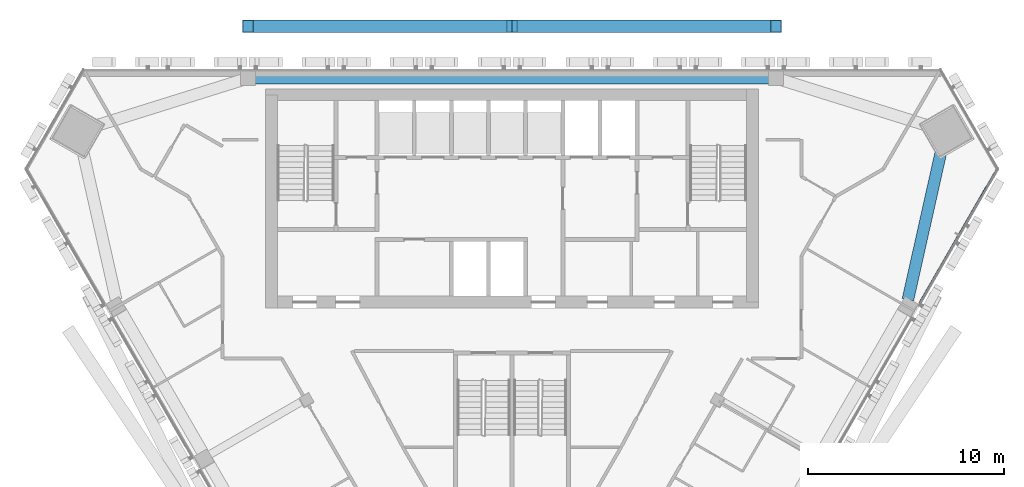
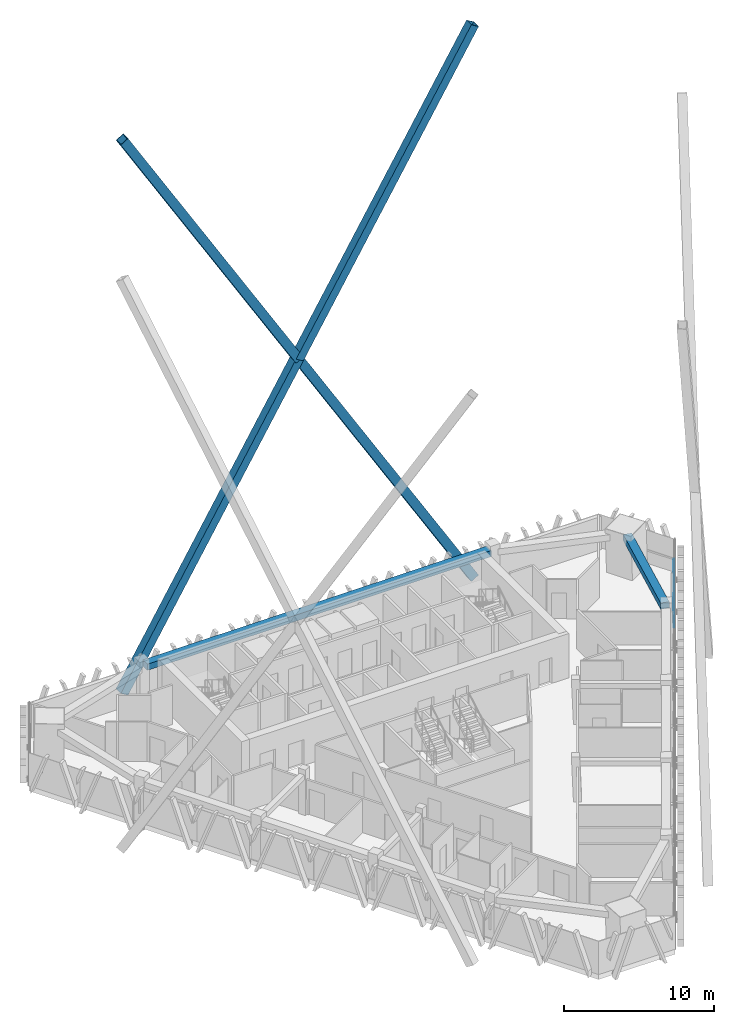
# One storey, part 13 of 22: 5 members, 2 beams, 1 element without a shape of its own.
"""IFC4 building model written with IfcOpenShell, lengths in metres."""

from ifc_helpers import new_model, si_unit, direction, frame, origin, origin_2d, place, context, subcontext, project, spatial, rectangle, hollow_rectangle, extrude, material, layer, layer_set, material_profile, profile_set, type_object, element, aggregate, save


model = new_model("IFC4")

# Units and contexts
model_context = context("Model", 3, precision=1e-05, world=origin(), true_north=direction((0.0, 1.0)))
body_context = subcontext(model_context, "Body", "Model", "MODEL_VIEW")
ifc_project = project(units=[si_unit("LENGTHUNIT", "METRE"), si_unit("AREAUNIT", "SQUARE_METRE"), si_unit("VOLUMEUNIT", "CUBIC_METRE"), si_unit("PLANEANGLEUNIT", "RADIAN"), si_unit("MASSUNIT", "GRAM", prefix="KILO")], contexts=[model_context])

# Site, building, storey
site_placement = place(None, origin())
site = spatial("IfcSite", under=ifc_project, at=site_placement, CompositionType="ELEMENT")
building_placement = place(site_placement, origin())
building = spatial("IfcBuilding", under=site, at=building_placement, Name="Altiplano Prism Tower", CompositionType="ELEMENT")
storey_placement = place(building_placement, frame((0.0, 0.0, 219.39990234375)))
storey = spatial("IfcBuildingStorey", under=building, at=storey_placement, Name="L56", CompositionType="ELEMENT", Elevation=219.39990234375)

# Curtain wall, member
ifc_material_1 = material(Name="Aluminium and glass", Category="aluminium")
ifc_layer = layer(ifc_material_1, 0.280029296875)
ifc_layer_set = layer_set([ifc_layer], Name="Aluminium and glass")
curtain_wall_type = type_object("IfcCurtainWallType", Name="CW1 typical co-living unitised curtain wall", PredefinedType="NOTDEFINED", material=ifc_layer_set)
curtain_wall_placement = place(storey_placement, origin())
curtain_wall = element("IfcCurtainWall", 1, at=curtain_wall_placement, inside=storey, type_object=curtain_wall_type, Name="CW1 curtain wall south-east face L56", PredefinedType="NOTDEFINED")
ifc_material_2 = material(Name="Aluminium", Category="aluminium")
ifc_material_profile_1 = material_profile(ifc_material_2, rectangle(XDim=0.06005859375, YDim=0.080078125, at=origin_2d()), Name="CW1 transom 80 x 60")
ifc_profile_set_1 = profile_set([ifc_material_profile_1], Name="Aluminium")
member_type_1 = type_object("IfcMemberType", Name="CW1 transom 80 x 60", PredefinedType="USERDEFINED", material=ifc_profile_set_1)
member_placement = place(storey_placement, frame((105.828125, 93.0244140625, 1.10009765625), z_axis=(0.500007503945, 0.866021071336, 0.0), x_axis=(-0.866021071336, 0.500007503945, 0.0)))
member = element("IfcMember", 2, at=member_placement, type_object=member_type_1, Name="CW1 transom", ObjectType="TRANSOM", PredefinedType="USERDEFINED", context=body_context, shape_type="SweptSolid", body=[
    extrude(rectangle(XDim=0.06005859375, YDim=0.080078125, at=origin_2d()), origin(), (0.0, 0.0, 1.0), 7.982421875),
])
aggregate(curtain_wall, [member])

# Beams
ifc_material_3 = material(Name="Concrete C60/75", Category="concrete")
ifc_material_profile_2 = material_profile(ifc_material_3, rectangle(XDim=0.60009765625, YDim=0.5, at=origin_2d()), Name="Edge beam 600x500")
ifc_profile_set_2 = profile_set([ifc_material_profile_2], Name="Concrete C60/75")
beam_type = type_object("IfcBeamType", Name="Edge beam 600x500", PredefinedType="SPANDREL", material=ifc_profile_set_2)
beam_1_placement = place(storey_placement, frame((105.25146484375, 93.225830078125, 2.9501953125), z_axis=(0.218625283358, 0.975808887783, 0.0), x_axis=(-0.975808887783, 0.218625283358, 0.0)))
element("IfcBeam", 3, at=beam_1_placement, inside=storey, type_object=beam_type, Name="Edge beam P24-M2 L57", PredefinedType="SPANDREL", context=body_context, shape_type="SweptSolid", body=[
    extrude(rectangle(XDim=0.60009765625, YDim=0.5, at=origin_2d()), origin(), (0.0, 0.0, 1.0), 8.3720703125),
])
beam_2_placement = place(storey_placement, frame((98.2451171875, 104.550048828125, 2.9501953125), z_axis=(-1.0, 0.0, 0.0), x_axis=(0.0, -1.0, 0.0)))
element("IfcBeam", 4, at=beam_2_placement, inside=storey, type_object=beam_type, Name="Edge beam P01-P04 L57", PredefinedType="SPANDREL", context=body_context, shape_type="SweptSolid", body=[
    extrude(rectangle(XDim=0.60009765625, YDim=0.5, at=origin_2d()), origin(), (0.0, 0.0, 1.0), 26.490234375),
])

# Members
ifc_material_4 = material(Name="Steel S355", Category="steel")
ifc_material_profile_3 = material_profile(ifc_material_4, hollow_rectangle(XDim=0.64990234375, YDim=0.64990234375, WallThickness=0.034912109375, at=origin_2d()), Name="Mega brace Box 650x650x35")
ifc_profile_set_3 = profile_set([ifc_material_profile_3], Name="Steel S355")
member_type_2 = type_object("IfcMemberType", Name="Mega brace Box 650x650x35", PredefinedType="BRACE", material=ifc_profile_set_3)
for number, where, z_axis, x_axis, name in (
    (5, (98.5, 107.199951171875, -0.75), (-0.514495755428, 0.0, 0.857492925713), (0.0, -1.0, 0.0), "Mega brace 6.0.1"),
    (6, (85.0, 107.199951171875, 21.75), (-0.514495755428, 0.0, 0.857492925713), (0.0, -1.0, 0.0), "Mega brace 6.0.2"),
    (7, (71.5, 107.199951171875, -0.75), (0.514495755428, 0.0, 0.857492925713), (0.0, 1.0, 0.0), "Mega brace 6.0.3"),
    (8, (85.0, 107.199951171875, 21.75), (0.514495755428, 0.0, 0.857492925713), (0.0, 1.0, 0.0), "Mega brace 6.0.4"),
):
    element("IfcMember", number, at=place(storey_placement, frame(where, z_axis=z_axis, x_axis=x_axis)), inside=storey, type_object=member_type_2, Name=name, PredefinedType="BRACE", context=body_context, shape_type="SweptSolid", body=[
        extrude(hollow_rectangle(XDim=0.64990234375, YDim=0.64990234375, WallThickness=0.034912109375, at=origin_2d()), origin(), (0.0, 0.0, 1.0), 26.2392578125),
    ])

save(model, "model.ifc")
